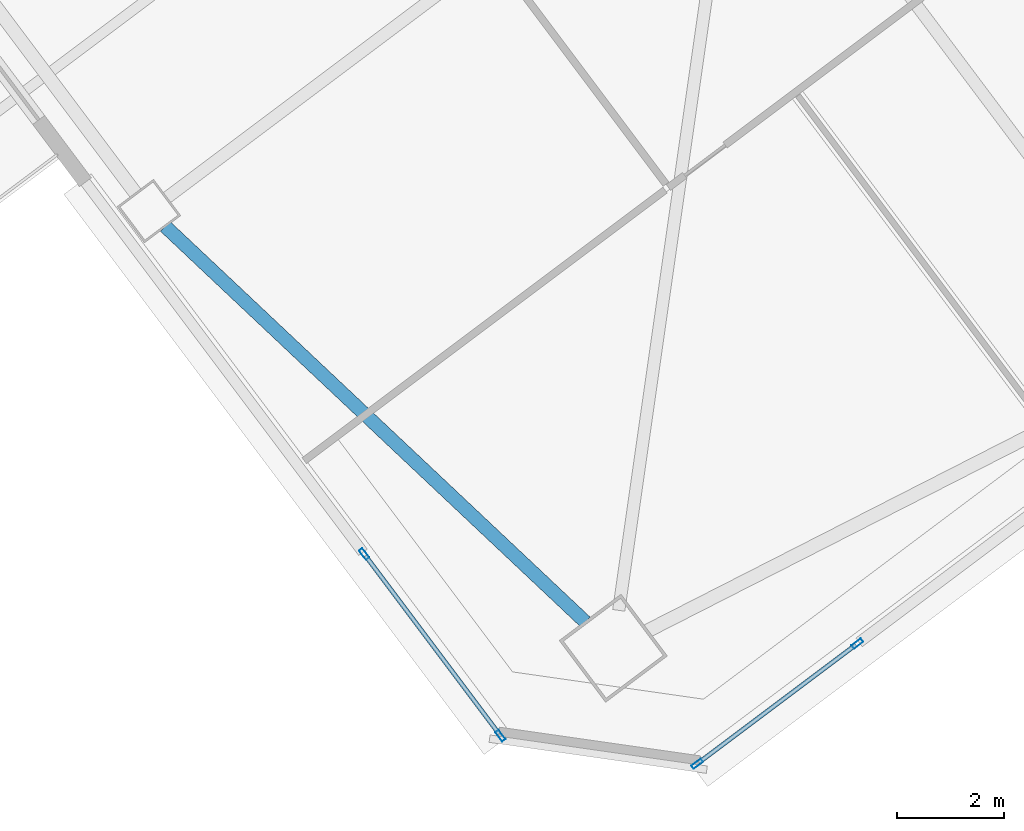
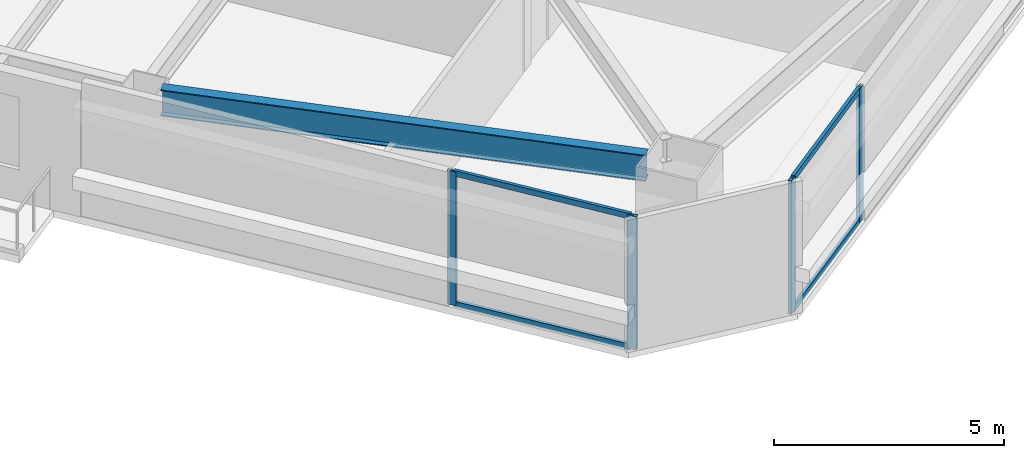
# One storey, part 17 of 44: 8 members, 1 beam, 2 elements without a shape of their own.
"""IFC4 building model written with IfcOpenShell, lengths in metres."""

from ifc_helpers import new_model, si_unit, direction, frame, origin, origin_2d, place, context, subcontext, project, spatial, hollow_rectangle, i_section, extrude, material, material_profile, profile_set, type_object, element, aggregate, save


model = new_model("IFC4")

# Units and contexts
model_context = context("Model", 3, precision=1e-05, world=origin(), true_north=direction((0.0, 1.0)))
body_context = subcontext(model_context, "Body", "Model", "MODEL_VIEW")
ifc_project = project(units=[si_unit("LENGTHUNIT", "METRE"), si_unit("AREAUNIT", "SQUARE_METRE"), si_unit("VOLUMEUNIT", "CUBIC_METRE"), si_unit("PLANEANGLEUNIT", "RADIAN"), si_unit("MASSUNIT", "GRAM", prefix="KILO")], contexts=[model_context])

# Site, building, storey
site_placement = place(None, origin())
site = spatial("IfcSite", under=ifc_project, at=site_placement, CompositionType="ELEMENT")
building_placement = place(site_placement, origin())
building = spatial("IfcBuilding", under=site, at=building_placement, Name="Tashvorn Skyway Center", CompositionType="ELEMENT")
storey_placement = place(building_placement, frame((0.0, 0.0, 84.949951171875)))
storey = spatial("IfcBuildingStorey", under=building, at=storey_placement, Name="L22", CompositionType="ELEMENT", Elevation=84.949951171875)

# Beam
ifc_material_1 = material(Name="Steel ASTM A992 Grade 50", Category="steel")
ifc_material_profile_1 = material_profile(ifc_material_1, i_section(OverallWidth=0.256103515625, OverallDepth=0.693115234375, WebThickness=0.014404296875, FlangeThickness=0.023681640625, at=origin_2d()), Name="W27X114")
ifc_profile_set_1 = profile_set([ifc_material_profile_1], Name="Steel ASTM A992 Grade 50")
beam_type = type_object("IfcBeamType", Name="BM-SPANDREL-W27X114", PredefinedType="SPANDREL", material=ifc_profile_set_1)
beam_placement = place(storey_placement, frame((102.145751953125, 15.842041015625, 3.003662109375), z_axis=(0.728086883893, -0.685484857238, 0.0), x_axis=(0.685484857238, 0.728086883893, 0.0)))
element("IfcBeam", 1, at=beam_placement, inside=storey, type_object=beam_type, Name="Tower 2 L22 Spandrel Beam 12", PredefinedType="SPANDREL", context=body_context, shape_type="SweptSolid", body=[
    extrude(i_section(OverallWidth=0.256103515625, OverallDepth=0.693115234375, WebThickness=0.014404296875, FlangeThickness=0.023681640625, at=origin_2d()), origin(), (0.0, 0.0, 1.0), 10.8369140625),
])

# Curtain wall, members
ifc_material_2 = material(Name="Thermally broken bronze-anodized aluminium 6063-T6", Category="aluminium")
curtain_wall_type = type_object("IfcCurtainWallType", Name="CW-CW-Z2", PredefinedType="NOTDEFINED", material=ifc_material_2)
curtain_wall_1_placement = place(storey_placement, origin())
curtain_wall_1 = element("IfcCurtainWall", 2, at=curtain_wall_1_placement, inside=storey, type_object=curtain_wall_type, Name="Tower 2 L22 South Unitised Curtain Wall Glazing Group 3", PredefinedType="NOTDEFINED")
ifc_material_profile_2 = material_profile(ifc_material_2, hollow_rectangle(XDim=0.080078125, YDim=0.219970703125, WallThickness=0.0048828125, at=origin_2d()), Name="ALU-MULL-80x220")
ifc_profile_set_2 = profile_set([ifc_material_profile_2], Name="Thermally broken bronze-anodized aluminium 6063-T6")
member_type_1 = type_object("IfcMemberType", Name="CWM-CW-Z2", PredefinedType="MULLION", material=ifc_profile_set_2)
member_1_placement = place(storey_placement, frame((115.14404296875, 8.008056640625, 0.0), z_axis=(0.0, 0.0, 1.0), x_axis=(0.600000000002, -0.799999999998, 0.0)))
member_1 = element("IfcMember", 3, at=member_1_placement, type_object=member_type_1, Name="CW-Z2 mullion 1", PredefinedType="MULLION", context=body_context, shape_type="SweptSolid", body=[
    extrude(hollow_rectangle(XDim=0.080078125, YDim=0.219970703125, WallThickness=0.0048828125, at=origin_2d()), origin(), (0.0, 0.0, 1.0), 3.550048828125),
])
member_2_placement = place(storey_placement, frame((112.135986328125, 5.751953125, 0.0), z_axis=(0.0, 0.0, 1.0), x_axis=(0.600000000002, -0.799999999998, 0.0)))
member_2 = element("IfcMember", 4, at=member_2_placement, type_object=member_type_1, Name="CW-Z2 mullion 2", PredefinedType="MULLION", context=body_context, shape_type="SweptSolid", body=[
    extrude(hollow_rectangle(XDim=0.080078125, YDim=0.219970703125, WallThickness=0.0048828125, at=origin_2d()), origin(), (0.0, 0.0, 1.0), 3.550048828125),
])

curtain_wall_2_placement = place(storey_placement, origin())
curtain_wall_2 = element("IfcCurtainWall", 5, at=curtain_wall_2_placement, inside=storey, type_object=curtain_wall_type, Name="Tower 2 L22 West Curtain Wall L Glazing Group 1", PredefinedType="NOTDEFINED")
member_3_placement = place(storey_placement, frame((108.43994140625, 6.280029296875, 0.0), z_axis=(0.0, 0.0, 1.0), x_axis=(-0.800002762832, -0.599996316206, 0.0)))
member_3 = element("IfcMember", 6, at=member_3_placement, type_object=member_type_1, Name="CW-Z2 mullion 1", PredefinedType="MULLION", context=body_context, shape_type="SweptSolid", body=[
    extrude(hollow_rectangle(XDim=0.080078125, YDim=0.219970703125, WallThickness=0.0048828125, at=origin_2d()), origin(), (0.0, 0.0, 1.0), 3.550048828125),
])
member_4_placement = place(storey_placement, frame((105.882080078125, 9.690673828125, 0.0), z_axis=(0.0, 0.0, 1.0), x_axis=(-0.800002762832, -0.599996316206, 0.0)))
member_4 = element("IfcMember", 7, at=member_4_placement, type_object=member_type_1, Name="CW-Z2 mullion 2", PredefinedType="MULLION", context=body_context, shape_type="SweptSolid", body=[
    extrude(hollow_rectangle(XDim=0.080078125, YDim=0.219970703125, WallThickness=0.0048828125, at=origin_2d()), origin(), (0.0, 0.0, 1.0), 3.550048828125),
])

# Member
ifc_material_profile_3 = material_profile(ifc_material_2, hollow_rectangle(XDim=0.080078125, YDim=0.14990234375, WallThickness=0.00439453125, at=origin_2d()), Name="ALU-TRAN-80x150")
ifc_profile_set_3 = profile_set([ifc_material_profile_3], Name="Thermally broken bronze-anodized aluminium 6063-T6")
member_type_2 = type_object("IfcMemberType", Name="CWT-CW-Z2", PredefinedType="USERDEFINED", material=ifc_profile_set_3)
member_5_placement = place(storey_placement, frame((115.112060546875, 7.98388671875, 0.0400390625), z_axis=(-0.800007960868, -0.599989385363, 0.0), x_axis=(0.599989385363, -0.800007960868, 0.0)))
member_5 = element("IfcMember", 8, at=member_5_placement, type_object=member_type_2, Name="CW-Z2 transom 1.1", ObjectType="TRANSOM", PredefinedType="USERDEFINED", context=body_context, shape_type="SweptSolid", body=[
    extrude(hollow_rectangle(XDim=0.080078125, YDim=0.14990234375, WallThickness=0.00439453125, at=origin_2d()), origin(), (0.0, 0.0, 1.0), 3.68017578125),
])

member_6_placement = place(storey_placement, frame((115.112060546875, 7.98388671875, 3.510009765625), z_axis=(-0.800007960868, -0.599989385363, 0.0), x_axis=(0.599989385363, -0.800007960868, 0.0)))
member_6 = element("IfcMember", 9, at=member_6_placement, type_object=member_type_2, Name="CW-Z2 transom 1.2", ObjectType="TRANSOM", PredefinedType="USERDEFINED", context=body_context, shape_type="SweptSolid", body=[
    extrude(hollow_rectangle(XDim=0.080078125, YDim=0.14990234375, WallThickness=0.00439453125, at=origin_2d()), origin(), (0.0, 0.0, 1.0), 3.68017578125),
])

aggregate(curtain_wall_1, [member_1, member_2, member_5, member_6])

member_7_placement = place(storey_placement, frame((108.416015625, 6.31201171875, 0.0400390625), z_axis=(-0.6, 0.8, 0.0), x_axis=(-0.8, -0.6, 0.0)))
member_7 = element("IfcMember", 10, at=member_7_placement, type_object=member_type_2, Name="CW-Z2 transom 1.1", ObjectType="TRANSOM", PredefinedType="USERDEFINED", context=body_context, shape_type="SweptSolid", body=[
    extrude(hollow_rectangle(XDim=0.080078125, YDim=0.14990234375, WallThickness=0.00439453125, at=origin_2d()), origin(), (0.0, 0.0, 1.0), 4.183349609375),
])

member_8_placement = place(storey_placement, frame((108.416015625, 6.31201171875, 3.510009765625), z_axis=(-0.6, 0.8, 0.0), x_axis=(-0.8, -0.6, 0.0)))
member_8 = element("IfcMember", 11, at=member_8_placement, type_object=member_type_2, Name="CW-Z2 transom 1.2", ObjectType="TRANSOM", PredefinedType="USERDEFINED", context=body_context, shape_type="SweptSolid", body=[
    extrude(hollow_rectangle(XDim=0.080078125, YDim=0.14990234375, WallThickness=0.00439453125, at=origin_2d()), origin(), (0.0, 0.0, 1.0), 4.183349609375),
])

aggregate(curtain_wall_2, [member_3, member_4, member_7, member_8])

save(model, "model.ifc")
